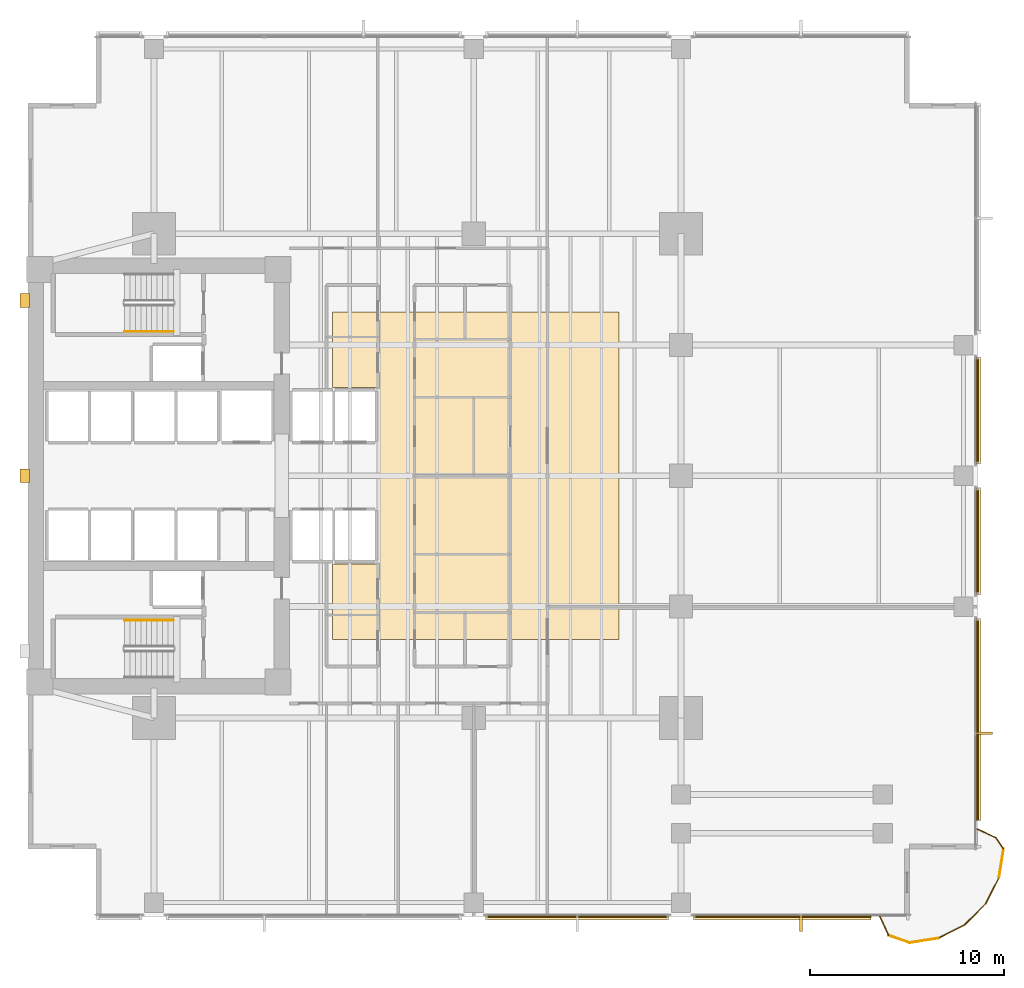
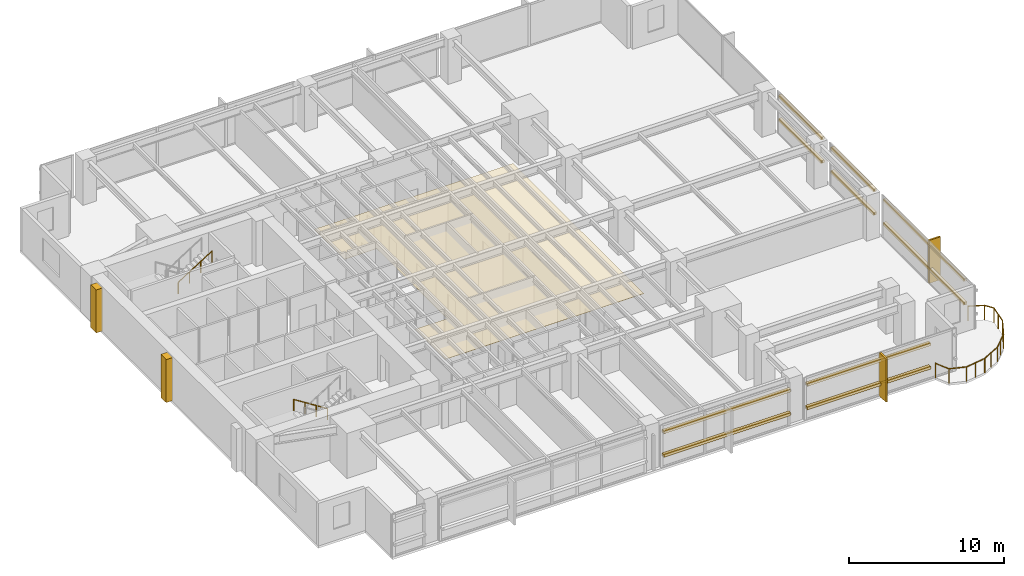
# One storey, part 13 of 15: 15 coverings, 11 railings, 10 shading devices.
"""IFC4 building model written with IfcOpenShell, lengths in metres."""

from ifc_helpers import new_model, si_unit, direction, frame, origin, origin_2d, place, context, subcontext, project, spatial, polyline, rectangle, circle, outline, extrude, material, layer, layer_set, material_profile, profile_set, type_object, element, save


model = new_model("IFC4")

# Units and contexts
model_context = context("Model", 3, precision=1e-05, world=origin(), true_north=direction((0.0, 1.0)))
body_context = subcontext(model_context, "Body", "Model", "MODEL_VIEW")
ifc_project = project(units=[si_unit("LENGTHUNIT", "METRE"), si_unit("AREAUNIT", "SQUARE_METRE"), si_unit("VOLUMEUNIT", "CUBIC_METRE"), si_unit("PLANEANGLEUNIT", "RADIAN"), si_unit("MASSUNIT", "GRAM", prefix="KILO")], contexts=[model_context])

# Site, building, storey
site_placement = place(None, origin())
site = spatial("IfcSite", under=ifc_project, at=site_placement, CompositionType="ELEMENT")
building_placement = place(site_placement, origin())
building = spatial("IfcBuilding", under=site, at=building_placement, Name="Kinhvarn Gate Tower", CompositionType="ELEMENT")
storey_placement = place(building_placement, frame((0.0, 0.0, 89.5)))
storey = spatial("IfcBuildingStorey", under=building, at=storey_placement, Name="L23", CompositionType="ELEMENT", Elevation=89.5)

# Coverings
ifc_material_1 = material(Name="Fired architectural terracotta", Category="masonry")
ifc_layer_1 = layer(ifc_material_1, 0.239990234375)
ifc_layer_set_1 = layer_set([ifc_layer_1], Name="Fired architectural terracotta")
covering_type_1 = type_object("IfcCoveringType", Name="COV-BAG-220", PredefinedType="CLADDING", material=ifc_layer_set_1)
for number, where, name in (
    (1, (0.0, 0.0, 0.93994140625), "Terracotta Horizontal Sunscreen Band TBG-220 (L23)"),
    (2, (0.0, 0.0, 2.7900390625), "Terracotta Horizontal Sunscreen Band TBG-220 (L23)"),
):
    element("IfcCovering", number, at=place(storey_placement, frame(where)), inside=storey, type_object=covering_type_1, Name=name, PredefinedType="CLADDING", context=body_context, shape_type="SweptSolid", body=[
        extrude(outline(polyline([(28.1201171875, 2.56005859375), (37.580078125, 2.56005859375), (37.580078125, 2.320068359375), (28.1201171875, 2.320068359375), (28.1201171875, 2.56005859375)])), origin(), (0.0, 0.0, 1.0), 0.219970703125),
    ])
for number, where, name in (
    (3, (0.0, 0.0, 0.93994140625), "Terracotta Horizontal Sunscreen Band TBG-220 (L23)"),
    (4, (0.0, 0.0, 2.7900390625), "Terracotta Horizontal Sunscreen Band TBG-220 (L23)"),
):
    element("IfcCovering", number, at=place(storey_placement, frame(where)), inside=storey, type_object=covering_type_1, Name=name, PredefinedType="CLADDING", context=body_context, shape_type="SweptSolid", body=[
        extrude(outline(polyline([(38.820068359375, 2.56005859375), (48.01611328125, 2.56005859375), (48.01611328125, 2.320068359375), (38.820068359375, 2.320068359375), (38.820068359375, 2.56005859375)])), origin(), (0.0, 0.0, 1.0), 0.219970703125),
    ])
for number, where, name in (
    (5, (0.0, 0.0, 0.93994140625), "Terracotta Horizontal Sunscreen Band TBG-220 (L23)"),
    (6, (0.0, 0.0, 2.7900390625), "Terracotta Horizontal Sunscreen Band TBG-220 (L23)"),
):
    element("IfcCovering", number, at=place(storey_placement, frame(where)), inside=storey, type_object=covering_type_1, Name=name, PredefinedType="CLADDING", context=body_context, shape_type="SweptSolid", body=[
        extrude(outline(polyline([(53.43994140625, 7.464111328125), (53.43994140625, 17.8798828125), (53.679931640625, 17.8798828125), (53.679931640625, 7.464111328125), (53.43994140625, 7.464111328125)])), origin(), (0.0, 0.0, 1.0), 0.219970703125),
    ])
for number, where, name in (
    (7, (0.0, 0.0, 0.93994140625), "Terracotta Horizontal Sunscreen Band TBG-220 (L23)"),
    (8, (0.0, 0.0, 2.7900390625), "Terracotta Horizontal Sunscreen Band TBG-220 (L23)"),
):
    element("IfcCovering", number, at=place(storey_placement, frame(where)), inside=storey, type_object=covering_type_1, Name=name, PredefinedType="CLADDING", context=body_context, shape_type="SweptSolid", body=[
        extrude(outline(polyline([(53.43994140625, 19.1201171875), (53.43994140625, 24.6298828125), (53.679931640625, 24.6298828125), (53.679931640625, 19.1201171875), (53.43994140625, 19.1201171875)])), origin(), (0.0, 0.0, 1.0), 0.219970703125),
    ])
for number, where, name in (
    (9, (0.0, 0.0, 0.93994140625), "Terracotta Horizontal Sunscreen Band TBG-220 (L23)"),
    (10, (0.0, 0.0, 2.7900390625), "Terracotta Horizontal Sunscreen Band TBG-220 (L23)"),
):
    element("IfcCovering", number, at=place(storey_placement, frame(where)), inside=storey, type_object=covering_type_1, Name=name, PredefinedType="CLADDING", context=body_context, shape_type="SweptSolid", body=[
        extrude(outline(polyline([(53.43994140625, 25.8701171875), (53.43994140625, 31.3798828125), (53.679931640625, 31.3798828125), (53.679931640625, 25.8701171875), (53.43994140625, 25.8701171875)])), origin(), (0.0, 0.0, 1.0), 0.219970703125),
    ])
ifc_material_2 = material(Name="Mineral-fibre acoustic ceiling tile")
ifc_layer_2 = layer(ifc_material_2, 0.02001953125)
ifc_layer_set_2 = layer_set([ifc_layer_2], Name="Mineral-fibre acoustic ceiling tile")
covering_type_2 = type_object("IfcCoveringType", Name="COV-CEIL-20", PredefinedType="CEILING", material=ifc_layer_set_2)
covering_1_placement = place(storey_placement, frame((0.0, 0.0, 2.64990234375)))
element("IfcCovering", 11, at=covering_1_placement, inside=storey, type_object=covering_type_2, Name="Suspended Acoustic Ceiling Tile (L23-1)", PredefinedType="CEILING", context=body_context, shape_type="SweptSolid", body=[
    extrude(outline(polyline([(35.0, 33.699951171875), (35.0, 16.800048828125), (20.199951171875, 16.800048828125), (20.199951171875, 20.699951171875), (22.60009765625, 20.699951171875), (22.60009765625, 29.800048828125), (20.199951171875, 29.800048828125), (20.199951171875, 33.699951171875), (35.0, 33.699951171875)])), origin(), (0.0, 0.0, 1.0), 0.02001953125),
])
ifc_layer_3 = layer(ifc_material_1, 0.139892578125)
ifc_layer_set_3 = layer_set([ifc_layer_3], Name="Fired architectural terracotta")
covering_type_3 = type_object("IfcCoveringType", Name="COV-FIN-850", PredefinedType="CLADDING", material=ifc_layer_set_3)
covering_2_placement = place(storey_placement, frame((0.0, 0.0, -0.02001953125)))
element("IfcCovering", 12, at=covering_2_placement, inside=storey, type_object=covering_type_3, Name="Vertical Terracotta Expressive Fin TFN-850 (L23)", PredefinedType="CLADDING", context=body_context, shape_type="SweptSolid", body=[
    extrude(outline(polyline([(44.320068359375, 2.570068359375), (44.4599609375, 2.570068359375), (44.4599609375, 1.719970703125), (44.320068359375, 1.719970703125), (44.320068359375, 2.570068359375)])), origin(), (0.0, 0.0, 1.0), 3.39013671875),
])
covering_3_placement = place(storey_placement, frame((0.0, 0.0, -0.02001953125)))
element("IfcCovering", 13, at=covering_3_placement, inside=storey, type_object=covering_type_3, Name="Vertical Terracotta Expressive Fin TFN-850 (L23)", PredefinedType="CLADDING", context=body_context, shape_type="SweptSolid", body=[
    extrude(outline(polyline([(53.429931640625, 11.889892578125), (53.429931640625, 12.030029296875), (54.280029296875, 12.030029296875), (54.280029296875, 11.889892578125), (53.429931640625, 11.889892578125)])), origin(), (0.0, 0.0, 1.0), 3.39013671875),
])
ifc_material_3 = material(Name="Precast white architectural concrete C40/50", Category="concrete")
ifc_layer_4 = layer(ifc_material_3, 0.47998046875)
ifc_layer_set_4 = layer_set([ifc_layer_4], Name="Precast white architectural concrete C40/50")
covering_type_4 = type_object("IfcCoveringType", Name="COV-RIB-450", PredefinedType="CLADDING", material=ifc_layer_set_4)
covering_4_placement = place(storey_placement, frame((0.0, 0.0, -0.02001953125)))
element("IfcCovering", 14, at=covering_4_placement, inside=storey, type_object=covering_type_4, Name="West Core Sculptural Concrete Relief Rib CRB-450 (L23)", PredefinedType="CLADDING", context=body_context, shape_type="SweptSolid", body=[
    extrude(outline(polyline([(4.080078125, 24.89990234375), (4.56005859375, 24.89990234375), (4.56005859375, 25.60009765625), (4.080078125, 25.60009765625), (4.080078125, 24.89990234375)])), origin(), (0.0, 0.0, 1.0), 3.39013671875),
])
covering_5_placement = place(storey_placement, frame((0.0, 0.0, -0.02001953125)))
element("IfcCovering", 15, at=covering_5_placement, inside=storey, type_object=covering_type_4, Name="West Core Sculptural Concrete Relief Rib CRB-450 (L23)", PredefinedType="CLADDING", context=body_context, shape_type="SweptSolid", body=[
    extrude(outline(polyline([(4.080078125, 33.949951171875), (4.56005859375, 33.949951171875), (4.56005859375, 34.64990234375), (4.080078125, 34.64990234375), (4.080078125, 33.949951171875)])), origin(), (0.0, 0.0, 1.0), 3.39013671875),
])

# Railings
ifc_material_4 = material(Name="Clear low-e double glazing", Category="glass")
railing_type_1 = type_object("IfcRailingType", Name="RL-BAL-1150", PredefinedType="BALUSTRADE", material=ifc_material_4)
railing_1_placement = place(storey_placement, frame((48.466064453125, 2.5, 0.0)))
element("IfcRailing", 16, at=railing_1_placement, inside=storey, type_object=railing_type_1, Name="S-Carve Balcony Guardrail Seg 1 (L23)", PredefinedType="BALUSTRADE", context=body_context, shape_type="SweptSolid", body=[
    extrude(circle(Radius=0.02392578125, at=origin_2d()), frame((0.0, 0.0, 1.1259765625), z_axis=(0.420113139387, -0.90747173516, 0.0), x_axis=(0.90747173516, 0.420113139387, 0.0)), (0.0, 0.0, 1.0), 1.071044921875),
    extrude(circle(Radius=0.02099609375, at=origin_2d()), origin(), (0.0, 0.0, 1.0), 1.101806640625),
    extrude(circle(Radius=0.02099609375, at=origin_2d()), frame((0.449951171875, -0.971923828125, 0.0)), (0.0, 0.0, 1.0), 1.101806640625),
])
railing_2_placement = place(storey_placement, frame((48.916015625, 1.528076171875, 0.0)))
element("IfcRailing", 17, at=railing_2_placement, inside=storey, type_object=railing_type_1, Name="S-Carve Balcony Guardrail Seg 2 (L23)", PredefinedType="BALUSTRADE", context=body_context, shape_type="SweptSolid", body=[
    extrude(circle(Radius=0.02392578125, at=origin_2d()), frame((0.0, 0.0, 1.1259765625), z_axis=(0.944189414884, -0.329403018841, 0.0), x_axis=(0.329403018841, 0.944189414884, 0.0)), (0.0, 0.0, 1.0), 1.14794921875),
    extrude(circle(Radius=0.02099609375, at=origin_2d()), origin(), (0.0, 0.0, 1.0), 1.101806640625),
    extrude(circle(Radius=0.02099609375, at=origin_2d()), frame((1.083984375, -0.378173828125, 0.0)), (0.0, 0.0, 1.0), 1.101806640625),
])
railing_3_placement = place(storey_placement, frame((50.0, 1.14990234375, 0.0)))
element("IfcRailing", 18, at=railing_3_placement, inside=storey, type_object=railing_type_1, Name="S-Carve Balcony Guardrail Seg 3 (L23)", PredefinedType="BALUSTRADE", context=body_context, shape_type="SweptSolid", body=[
    extrude(circle(Radius=0.02392578125, at=origin_2d()), frame((0.0, 0.0, 1.1259765625), z_axis=(0.987671483067, 0.156540862196, 0.0), x_axis=(-0.156540862196, 0.987671483067, 0.0)), (0.0, 0.0, 1.0), 1.517578125),
    extrude(circle(Radius=0.02099609375, at=origin_2d()), origin(), (0.0, 0.0, 1.0), 1.101806640625),
    extrude(circle(Radius=0.02099609375, at=origin_2d()), frame((0.74951171875, 0.11865234375, 0.0)), (0.0, 0.0, 1.0), 1.101806640625),
    extrude(circle(Radius=0.02099609375, at=origin_2d()), frame((1.498779296875, 0.237548828125, 0.0)), (0.0, 0.0, 1.0), 1.101806640625),
])
railing_4_placement = place(storey_placement, frame((51.498779296875, 1.387451171875, 0.0)))
element("IfcRailing", 19, at=railing_4_placement, inside=storey, type_object=railing_type_1, Name="S-Carve Balcony Guardrail Seg 4 (L23)", PredefinedType="BALUSTRADE", context=body_context, shape_type="SweptSolid", body=[
    extrude(circle(Radius=0.02392578125, at=origin_2d()), frame((0.0, 0.0, 1.1259765625), z_axis=(0.890990379828, 0.454022183437, 0.0), x_axis=(-0.454022183437, 0.890990379828, 0.0)), (0.0, 0.0, 1.0), 1.517578125),
    extrude(circle(Radius=0.02099609375, at=origin_2d()), origin(), (0.0, 0.0, 1.0), 1.101806640625),
    extrude(circle(Radius=0.02099609375, at=origin_2d()), frame((0.676025390625, 0.344482421875, 0.0)), (0.0, 0.0, 1.0), 1.101806640625),
    extrude(circle(Radius=0.02099609375, at=origin_2d()), frame((1.35205078125, 0.68896484375, 0.0)), (0.0, 0.0, 1.0), 1.101806640625),
])
railing_5_placement = place(storey_placement, frame((52.850830078125, 2.076416015625, 0.0)))
element("IfcRailing", 20, at=railing_5_placement, inside=storey, type_object=railing_type_1, Name="S-Carve Balcony Guardrail Seg 5 (L23)", PredefinedType="BALUSTRADE", context=body_context, shape_type="SweptSolid", body=[
    extrude(circle(Radius=0.02392578125, at=origin_2d()), frame((0.0, 0.0, 1.1259765625), z_axis=(0.707106781187, 0.707106781187, 0.0), x_axis=(-0.707106781187, 0.707106781187, 0.0)), (0.0, 0.0, 1.0), 1.51708984375),
    extrude(circle(Radius=0.02099609375, at=origin_2d()), origin(), (0.0, 0.0, 1.0), 1.101806640625),
    extrude(circle(Radius=0.02099609375, at=origin_2d()), frame((0.536376953125, 0.536376953125, 0.0)), (0.0, 0.0, 1.0), 1.101806640625),
    extrude(circle(Radius=0.02099609375, at=origin_2d()), frame((1.07275390625, 1.07275390625, 0.0)), (0.0, 0.0, 1.0), 1.101806640625),
])
railing_6_placement = place(storey_placement, frame((53.923583984375, 3.149169921875, 0.0)))
element("IfcRailing", 21, at=railing_6_placement, inside=storey, type_object=railing_type_1, Name="S-Carve Balcony Guardrail Seg 6 (L23)", PredefinedType="BALUSTRADE", context=body_context, shape_type="SweptSolid", body=[
    extrude(circle(Radius=0.02392578125, at=origin_2d()), frame((0.0, 0.0, 1.1259765625), z_axis=(0.454022183437, 0.890990379828, 0.0), x_axis=(-0.890990379828, 0.454022183437, 0.0)), (0.0, 0.0, 1.0), 1.517578125),
    extrude(circle(Radius=0.02099609375, at=origin_2d()), origin(), (0.0, 0.0, 1.0), 1.101806640625),
    extrude(circle(Radius=0.02099609375, at=origin_2d()), frame((0.344482421875, 0.676025390625, 0.0)), (0.0, 0.0, 1.0), 1.101806640625),
    extrude(circle(Radius=0.02099609375, at=origin_2d()), frame((0.68896484375, 1.35205078125, 0.0)), (0.0, 0.0, 1.0), 1.101806640625),
])
railing_7_placement = place(storey_placement, frame((54.612548828125, 4.501220703125, 0.0)))
element("IfcRailing", 22, at=railing_7_placement, inside=storey, type_object=railing_type_1, Name="S-Carve Balcony Guardrail Seg 7 (L23)", PredefinedType="BALUSTRADE", context=body_context, shape_type="SweptSolid", body=[
    extrude(circle(Radius=0.02392578125, at=origin_2d()), frame((0.0, 0.0, 1.1259765625), z_axis=(0.156540862196, 0.987671483067, 0.0), x_axis=(-0.987671483067, 0.156540862196, 0.0)), (0.0, 0.0, 1.0), 1.517578125),
    extrude(circle(Radius=0.02099609375, at=origin_2d()), origin(), (0.0, 0.0, 1.0), 1.101806640625),
    extrude(circle(Radius=0.02099609375, at=origin_2d()), frame((0.11865234375, 0.74951171875, 0.0)), (0.0, 0.0, 1.0), 1.101806640625),
    extrude(circle(Radius=0.02099609375, at=origin_2d()), frame((0.237548828125, 1.498779296875, 0.0)), (0.0, 0.0, 1.0), 1.101806640625),
])
railing_8_placement = place(storey_placement, frame((54.85009765625, 6.0, 0.0)))
element("IfcRailing", 23, at=railing_8_placement, inside=storey, type_object=railing_type_1, Name="S-Carve Balcony Guardrail Seg 8 (L23)", PredefinedType="BALUSTRADE", context=body_context, shape_type="SweptSolid", body=[
    extrude(circle(Radius=0.02392578125, at=origin_2d()), frame((0.0, 0.0, 1.1259765625), z_axis=(-0.556938440567, 0.830553775152, 0.0), x_axis=(-0.830553775152, -0.556938440567, 0.0)), (0.0, 0.0, 1.0), 0.678955078125),
    extrude(circle(Radius=0.02099609375, at=origin_2d()), origin(), (0.0, 0.0, 1.0), 1.101806640625),
    extrude(circle(Radius=0.02099609375, at=origin_2d()), frame((-0.378173828125, 0.56396484375, 0.0)), (0.0, 0.0, 1.0), 1.101806640625),
])
railing_9_placement = place(storey_placement, frame((54.471923828125, 6.56396484375, 0.0)))
element("IfcRailing", 24, at=railing_9_placement, inside=storey, type_object=railing_type_1, Name="S-Carve Balcony Guardrail Seg 9 (L23)", PredefinedType="BALUSTRADE", context=body_context, shape_type="SweptSolid", body=[
    extrude(circle(Radius=0.02392578125, at=origin_2d()), frame((0.0, 0.0, 1.1259765625), z_axis=(-0.90747173516, 0.420113139387, 0.0), x_axis=(-0.420113139387, -0.90747173516, 0.0)), (0.0, 0.0, 1.0), 1.071044921875),
    extrude(circle(Radius=0.02099609375, at=origin_2d()), origin(), (0.0, 0.0, 1.0), 1.101806640625),
    extrude(circle(Radius=0.02099609375, at=origin_2d()), frame((-0.971923828125, 0.449951171875, 0.0)), (0.0, 0.0, 1.0), 1.101806640625),
])
ifc_material_5 = material(Name="Steel S355", Category="steel")
railing_type_2 = type_object("IfcRailingType", Name="RL-ST-HND", PredefinedType="HANDRAIL", material=ifc_material_5)
railing_10_placement = place(storey_placement, frame((12.0, 17.800048828125, 0.177490234375)))
element("IfcRailing", 25, at=railing_10_placement, inside=storey, type_object=railing_type_2, Name="L23 ST1 stair handrail 1", PredefinedType="HANDRAIL", context=body_context, shape_type="SweptSolid", body=[
    extrude(circle(Radius=0.02392578125, at=origin_2d()), frame((0.0, 0.0, 0.8759765625), z_axis=(-0.84460694969, 0.0, 0.535386869969), x_axis=(0.0, -1.0, 0.0)), (0.0, 0.0, 1.0), 2.983642578125),
    extrude(circle(Radius=0.02099609375, at=origin_2d()), origin(), (0.0, 0.0, 1.0), 0.851806640625),
    extrude(circle(Radius=0.02099609375, at=origin_2d()), frame((-0.840087890625, 0.0, 0.532470703125)), (0.0, 0.0, 1.0), 0.851806640625),
    extrude(circle(Radius=0.02099609375, at=origin_2d()), frame((-1.679931640625, 0.0, 1.06494140625)), (0.0, 0.0, 1.0), 0.851806640625),
    extrude(circle(Radius=0.02099609375, at=origin_2d()), frame((-2.52001953125, 0.0, 1.597412109375)), (0.0, 0.0, 1.0), 0.851806640625),
])
railing_11_placement = place(storey_placement, frame((9.47998046875, 32.699951171875, 1.952392578125)))
element("IfcRailing", 26, at=railing_11_placement, inside=storey, type_object=railing_type_2, Name="L23 ST2 stair handrail 2", PredefinedType="HANDRAIL", context=body_context, shape_type="SweptSolid", body=[
    extrude(circle(Radius=0.02392578125, at=origin_2d()), frame((0.0, 0.0, 0.8759765625), z_axis=(0.84456994832, 0.0, 0.535445237532), x_axis=(0.0, 1.0, 0.0)), (0.0, 0.0, 1.0), 2.98388671875),
    extrude(circle(Radius=0.02099609375, at=origin_2d()), origin(), (0.0, 0.0, 1.0), 0.851806640625),
    extrude(circle(Radius=0.02099609375, at=origin_2d()), frame((0.840087890625, 0.0, 0.532470703125)), (0.0, 0.0, 1.0), 0.851806640625),
    extrude(circle(Radius=0.02099609375, at=origin_2d()), frame((1.679931640625, 0.0, 1.065185546875)), (0.0, 0.0, 1.0), 0.851806640625),
    extrude(circle(Radius=0.02099609375, at=origin_2d()), frame((2.52001953125, 0.0, 1.59765625)), (0.0, 0.0, 1.0), 0.851806640625),
])

# Shading devices
ifc_material_profile = material_profile(ifc_material_1, rectangle(XDim=0.06005859375, YDim=0.139892578125, at=origin_2d()), Name="TC 60x140")
ifc_profile_set = profile_set([ifc_material_profile], Name="Fired architectural terracotta")
shading_device_type = type_object("IfcShadingDeviceType", Name="SHD-BAG-180", PredefinedType="USERDEFINED", material=ifc_profile_set)
for number, where, z_axis, x_axis, name in (
    (27, (28.1201171875, 2.485107421875, 1.050048828125), (1.0, 0.0, 0.0), (0.0, 1.0, 0.0), "Fired Terracotta Baguette Screen Rod 60x140 mm (L23)"),
    (28, (28.1201171875, 2.485107421875, 2.89990234375), (1.0, 0.0, 0.0), (0.0, 1.0, 0.0), "Fired Terracotta Baguette Screen Rod 60x140 mm (L23)"),
):
    element("IfcShadingDevice", number, at=place(storey_placement, frame(where, z_axis=z_axis, x_axis=x_axis)), inside=storey, type_object=shading_device_type, Name=name, ObjectType="BAGUETTE", PredefinedType="USERDEFINED", context=body_context, shape_type="SweptSolid", body=[
        extrude(rectangle(XDim=0.06005859375, YDim=0.139892578125, at=origin_2d()), origin(), (0.0, 0.0, 1.0), 9.4599609375),
    ])
for number, where, z_axis, x_axis, name in (
    (29, (38.820068359375, 2.485107421875, 1.050048828125), (1.0, 0.0, 0.0), (0.0, 1.0, 0.0), "Fired Terracotta Baguette Screen Rod 60x140 mm (L23)"),
    (30, (38.820068359375, 2.485107421875, 2.89990234375), (1.0, 0.0, 0.0), (0.0, 1.0, 0.0), "Fired Terracotta Baguette Screen Rod 60x140 mm (L23)"),
):
    element("IfcShadingDevice", number, at=place(storey_placement, frame(where, z_axis=z_axis, x_axis=x_axis)), inside=storey, type_object=shading_device_type, Name=name, ObjectType="BAGUETTE", PredefinedType="USERDEFINED", context=body_context, shape_type="SweptSolid", body=[
        extrude(rectangle(XDim=0.06005859375, YDim=0.139892578125, at=origin_2d()), origin(), (0.0, 0.0, 1.0), 9.196044921875),
    ])
for number, where, z_axis, x_axis, name in (
    (31, (53.514892578125, 7.464111328125, 1.050048828125), (0.0, 1.0, 0.0), (-1.0, 0.0, 0.0), "Fired Terracotta Baguette Screen Rod 60x140 mm (L23)"),
    (32, (53.514892578125, 7.464111328125, 2.89990234375), (0.0, 1.0, 0.0), (-1.0, 0.0, 0.0), "Fired Terracotta Baguette Screen Rod 60x140 mm (L23)"),
):
    element("IfcShadingDevice", number, at=place(storey_placement, frame(where, z_axis=z_axis, x_axis=x_axis)), inside=storey, type_object=shading_device_type, Name=name, ObjectType="BAGUETTE", PredefinedType="USERDEFINED", context=body_context, shape_type="SweptSolid", body=[
        extrude(rectangle(XDim=0.06005859375, YDim=0.139892578125, at=origin_2d()), origin(), (0.0, 0.0, 1.0), 10.415771484375),
    ])
for number, where, z_axis, x_axis, name in (
    (33, (53.514892578125, 19.1201171875, 1.050048828125), (0.0, 1.0, 0.0), (-1.0, 0.0, 0.0), "Fired Terracotta Baguette Screen Rod 60x140 mm (L23)"),
    (34, (53.514892578125, 19.1201171875, 2.89990234375), (0.0, 1.0, 0.0), (-1.0, 0.0, 0.0), "Fired Terracotta Baguette Screen Rod 60x140 mm (L23)"),
    (35, (53.514892578125, 25.8701171875, 1.050048828125), (0.0, 1.0, 0.0), (-1.0, 0.0, 0.0), "Fired Terracotta Baguette Screen Rod 60x140 mm (L23)"),
    (36, (53.514892578125, 25.8701171875, 2.89990234375), (0.0, 1.0, 0.0), (-1.0, 0.0, 0.0), "Fired Terracotta Baguette Screen Rod 60x140 mm (L23)"),
):
    element("IfcShadingDevice", number, at=place(storey_placement, frame(where, z_axis=z_axis, x_axis=x_axis)), inside=storey, type_object=shading_device_type, Name=name, ObjectType="BAGUETTE", PredefinedType="USERDEFINED", context=body_context, shape_type="SweptSolid", body=[
        extrude(rectangle(XDim=0.06005859375, YDim=0.139892578125, at=origin_2d()), origin(), (0.0, 0.0, 1.0), 5.509765625),
    ])

save(model, "model.ifc")
